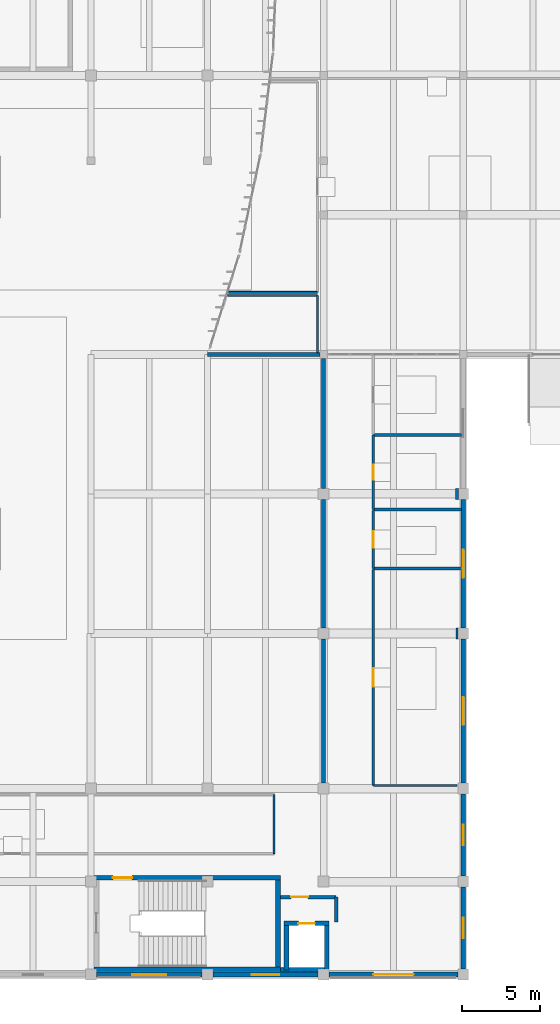
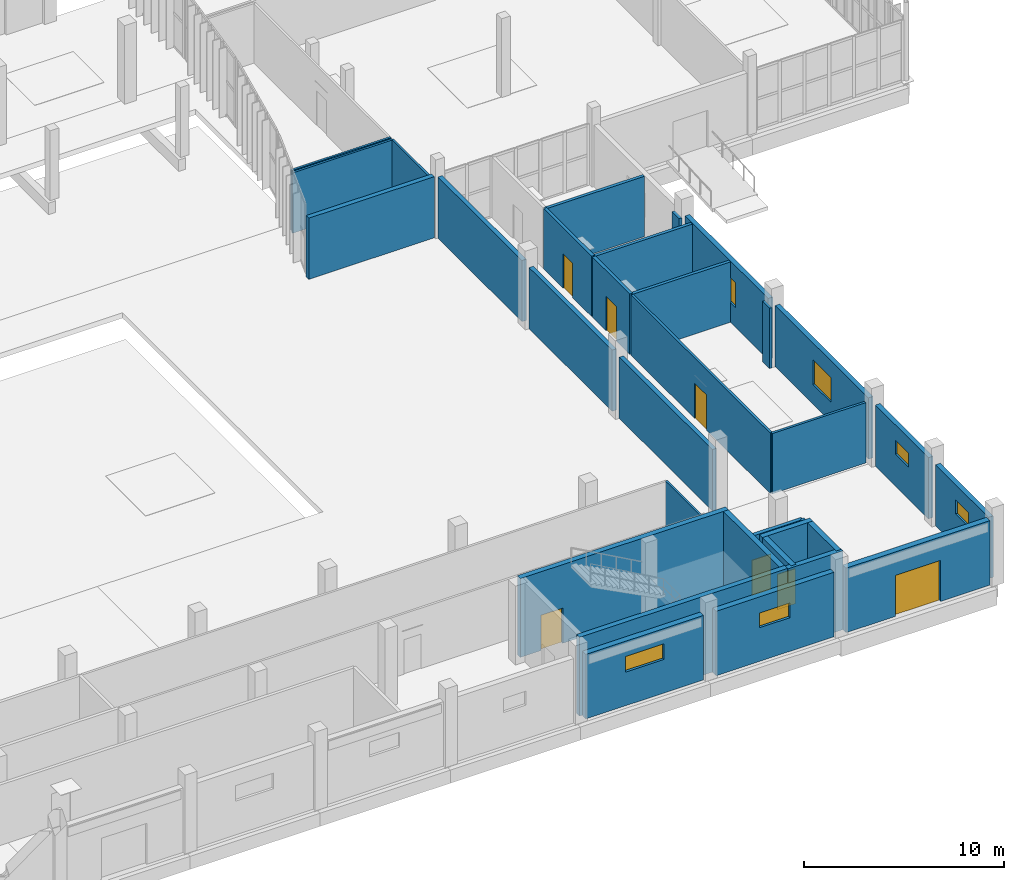
# One storey, part 50 of 72: 33 walls, 7 doors, 6 windows, 13 openings.
"""IFC4 building model written with IfcOpenShell, lengths in metres."""

from ifc_helpers import new_model, si_unit, direction, frame, frame_2d, origin, place, context, subcontext, project, spatial, rectangle, extrude, material, layer, layer_set, type_object, element, fill, save


model = new_model("IFC4")

# Units and contexts
model_context = context("Model", 3, precision=1e-05, world=origin(), true_north=direction((0.0, 1.0)))
body_context = subcontext(model_context, "Body", "Model", "MODEL_VIEW")
ifc_project = project(units=[si_unit("LENGTHUNIT", "METRE"), si_unit("AREAUNIT", "SQUARE_METRE"), si_unit("VOLUMEUNIT", "CUBIC_METRE"), si_unit("PLANEANGLEUNIT", "RADIAN"), si_unit("MASSUNIT", "GRAM", prefix="KILO")], contexts=[model_context])

# Site, building, storey
site_placement = place(None, origin())
site = spatial("IfcSite", under=ifc_project, at=site_placement, CompositionType="ELEMENT")
building_placement = place(site_placement, origin())
building = spatial("IfcBuilding", under=site, at=building_placement, Name="Vourika Railside Aquatics Centre", CompositionType="ELEMENT")
storey_placement = place(building_placement, origin())
storey = spatial("IfcBuildingStorey", under=building, at=storey_placement, Name="L00", CompositionType="ELEMENT", Elevation=0.0)

# Wall
ifc_material_1 = material(Name="Concrete C40/50", Category="concrete")
ifc_layer_1 = layer(ifc_material_1, 0.300048828125, Name="WL-CORE")
ifc_layer_set_1 = layer_set([ifc_layer_1], Name="Concrete C40/50")
wall_type_1 = type_object("IfcWallType", Name="WL-CORE", PredefinedType="SHEAR", material=ifc_layer_set_1)
wall_1_placement = place(storey_placement, frame((138.199951171875, 0.35009765625, 0.0), z_axis=(0.0, 0.0, 1.0), x_axis=(-1.0, 0.0, 0.0)))
element("IfcWall", 1, at=wall_1_placement, inside=storey, type_object=wall_type_1, Name="Protected Exit Stair Core ST06 South Wall (L00)", PredefinedType="SHEAR", context=body_context, shape_type="SweptSolid", body=[
    extrude(rectangle(XDim=12.0, YDim=0.300048828125, at=frame_2d((6.0, 0.0))), origin(), (0.0, 0.0, 1.0), 4.800048828125),
])

# Wall, opening, door
wall_2_placement = place(storey_placement, frame((138.199951171875, 6.25, 0.0), z_axis=(0.0, 0.0, 1.0), x_axis=(-1.0, 0.0, 0.0)))
wall_2 = element("IfcWall", 2, at=wall_2_placement, inside=storey, type_object=wall_type_1, Name="Protected Exit Stair Core ST06 North Wall (L00)", PredefinedType="SHEAR", context=body_context, shape_type="SweptSolid", body=[
    extrude(rectangle(XDim=12.0, YDim=0.300048828125, at=frame_2d((6.0, 0.0))), origin(), (0.0, 0.0, 1.0), 4.800048828125),
])
opening_1_placement = place(wall_2_placement, frame((9.550048828125, 0.0, 0.0)))
opening_1 = element("IfcOpeningElement", 3, at=opening_1_placement, cuts=wall_2, Name="Opening DF02", PredefinedType="OPENING", context=body_context, shape_type="SweptSolid", body=[
    extrude(rectangle(XDim=1.25, YDim=2.14990234375, at=frame_2d((0.625, 1.074951171875))), frame((0.0, 0.16015625, 0.0), z_axis=(0.0, -1.0, 0.0), x_axis=(1.0, 0.0, 0.0)), (0.0, 0.0, 1.0), 0.320068359375),
])
ifc_material_2 = material(Name="Fire-rated wide exit stair door")
door_type_1 = type_object("IfcDoorType", Name="DR-FD60-125", OperationType="NOTDEFINED", PredefinedType="DOOR", material=ifc_material_2)
door_1_placement = place(opening_1_placement, origin())
door_1 = element("IfcDoor", 4, at=door_1_placement, inside=storey, type_object=door_type_1, Name="Protected Exit Stair Core ST06 Enclosure Fire Door (L00)", OperationType="SINGLE_SWING_LEFT", OverallHeight=2.14990234375, OverallWidth=1.25, PredefinedType="DOOR", context=body_context, shape_type="SweptSolid", body=[
    extrude(rectangle(XDim=1.25, YDim=2.14990234375, at=frame_2d((0.625, 1.074951171875))), frame((0.0, 0.02490234375, 0.0), z_axis=(0.0, -1.0, 0.0), x_axis=(1.0, 0.0, 0.0)), (0.0, 0.0, 1.0), 0.050048828125),
])
fill(opening_1, door_1)

# Walls
wall_3_placement = place(storey_placement, frame((138.050048828125, 0.5, 0.0), z_axis=(0.0, 0.0, 1.0), x_axis=(0.0, 1.0, 0.0)))
element("IfcWall", 5, at=wall_3_placement, inside=storey, type_object=wall_type_1, Name="Protected Exit Stair Core ST06 East Wall (L00)", PredefinedType="SHEAR", context=body_context, shape_type="SweptSolid", body=[
    extrude(rectangle(XDim=5.60009765625, YDim=0.300048828125, at=frame_2d((2.800048828125, 0.0))), origin(), (0.0, 0.0, 1.0), 4.800048828125),
])
wall_4_placement = place(storey_placement, frame((138.199951171875, 0.300048828125, 0.0), z_axis=(0.0, 0.0, 1.0), x_axis=(1.0, 0.0, 0.0)))
element("IfcWall", 6, at=wall_4_placement, inside=storey, type_object=wall_type_1, Name="Lift LP03 Shaft South Wall (L00)", PredefinedType="SHEAR", context=body_context, shape_type="SweptSolid", body=[
    extrude(rectangle(XDim=3.150146484375, YDim=0.300048828125, at=frame_2d((1.5751953125, 0.0))), origin(), (0.0, 0.0, 1.0), 4.800048828125),
])

# Wall, opening, door
wall_5_placement = place(storey_placement, frame((141.35009765625, 3.300048828125, 0.0), z_axis=(0.0, 0.0, 1.0), x_axis=(-1.0, 0.0, 0.0)))
wall_5 = element("IfcWall", 7, at=wall_5_placement, inside=storey, type_object=wall_type_1, Name="Lift LP03 Shaft North Wall (L00)", PredefinedType="SHEAR", context=body_context, shape_type="SweptSolid", body=[
    extrude(rectangle(XDim=2.900146484375, YDim=0.300048828125, at=frame_2d((1.4501953125, 0.0))), origin(), (0.0, 0.0, 1.0), 4.800048828125),
])
opening_2_placement = place(wall_5_placement, frame((0.925048828125, 0.0, 0.0)))
opening_2 = element("IfcOpeningElement", 8, at=opening_2_placement, cuts=wall_5, Name="Opening LD02", PredefinedType="OPENING", context=body_context, shape_type="SweptSolid", body=[
    extrude(rectangle(XDim=1.050048828125, YDim=2.14990234375, at=frame_2d((0.52490234375, 1.074951171875))), frame((0.0, 0.16015625, 0.0), z_axis=(0.0, -1.0, 0.0), x_axis=(1.0, 0.0, 0.0)), (0.0, 0.0, 1.0), 0.320068359375),
])
ifc_material_3 = material(Name="Stainless passenger lift landing door")
door_type_2 = type_object("IfcDoorType", Name="DR-LIFT-LD2", OperationType="DOUBLE_DOOR_SLIDING", PredefinedType="DOOR", material=ifc_material_3)
door_2_placement = place(opening_2_placement, origin())
door_2 = element("IfcDoor", 9, at=door_2_placement, inside=storey, type_object=door_type_2, Name="Lift LP03 Sliding Landing Door (L00)", OperationType="DOUBLE_DOOR_SLIDING", OverallHeight=2.14990234375, OverallWidth=1.050048828125, PredefinedType="DOOR", context=body_context, shape_type="SweptSolid", body=[
    extrude(rectangle(XDim=1.050048828125, YDim=2.14990234375, at=frame_2d((0.52490234375, 1.074951171875))), frame((0.0, 0.02490234375, 0.0), z_axis=(0.0, -1.0, 0.0), x_axis=(1.0, 0.0, 0.0)), (0.0, 0.0, 1.0), 0.050048828125),
])
fill(opening_2, door_2)

# Walls
for number, where, z_axis, x_axis, name in (
    (10, (138.60009765625, 3.300048828125, 0.0), (0.0, 0.0, 1.0), (0.0, -1.0, 0.0), "Lift LP03 Shaft West Wall (L00)"),
    (11, (141.199951171875, 0.300048828125, 0.0), (0.0, 0.0, 1.0), (0.0, 1.0, 0.0), "Lift LP03 Shaft East Wall (L00)"),
):
    element("IfcWall", number, at=place(storey_placement, frame(where, z_axis=z_axis, x_axis=x_axis)), inside=storey, type_object=wall_type_1, Name=name, PredefinedType="SHEAR", context=body_context, shape_type="SweptSolid", body=[
        extrude(rectangle(XDim=3.0, YDim=0.300048828125, at=frame_2d((1.5, 0.0))), origin(), (0.0, 0.0, 1.0), 4.800048828125),
    ])
ifc_material_4 = material(Name="Precast concrete C40/50", Category="concrete")
ifc_layer_2 = layer(ifc_material_4, 0.25, Name="WL-EXT-250")
ifc_layer_set_2 = layer_set([ifc_layer_2], Name="Precast concrete C40/50")
wall_type_2 = type_object("IfcWallType", Name="WL-EXT-250", PredefinedType="SOLIDWALL", material=ifc_layer_set_2)
wall_6_placement = place(storey_placement, frame((141.0, 21.64990234375, 0.0), z_axis=(0.0, 0.0, 1.0), x_axis=(0.0, -1.0, 0.0)))
element("IfcWall", 12, at=wall_6_placement, inside=storey, type_object=wall_type_2, Name="Changing East Wing Poolside Wall L00-3", PredefinedType="SOLIDWALL", context=body_context, shape_type="SweptSolid", body=[
    extrude(rectangle(XDim=9.2998046875, YDim=0.25, at=frame_2d((4.64990234375, 0.0))), origin(), (0.0, 0.0, 1.0), 3.72998046875),
])
wall_7_placement = place(storey_placement, frame((141.0, 30.64990234375, 0.0), z_axis=(0.0, 0.0, 1.0), x_axis=(0.0, -1.0, 0.0)))
element("IfcWall", 13, at=wall_7_placement, inside=storey, type_object=wall_type_2, Name="Changing East Wing Poolside Wall L00-4", PredefinedType="SOLIDWALL", context=body_context, shape_type="SweptSolid", body=[
    extrude(rectangle(XDim=8.2998046875, YDim=0.25, at=frame_2d((4.14990234375, 0.0))), origin(), (0.0, 0.0, 1.0), 3.72998046875),
])
wall_8_placement = place(storey_placement, frame((141.0, 39.75, 0.0), z_axis=(0.0, 0.0, 1.0), x_axis=(0.0, -1.0, 0.0)))
element("IfcWall", 14, at=wall_8_placement, inside=storey, type_object=wall_type_2, Name="Changing East Wing Poolside Wall L00-5", PredefinedType="SOLIDWALL", context=body_context, shape_type="SweptSolid", body=[
    extrude(rectangle(XDim=8.39990234375, YDim=0.25, at=frame_2d((4.199951171875, 0.0))), origin(), (0.0, 0.0, 1.0), 3.72998046875),
])
ifc_layer_3 = layer(ifc_material_4, 0.27001953125, Name="WL-EXT-270")
ifc_layer_set_3 = layer_set([ifc_layer_3], Name="Precast concrete C40/50")
wall_type_3 = type_object("IfcWallType", Name="WL-EXT-270", PredefinedType="SOLIDWALL", material=ifc_layer_set_3)
wall_9_placement = place(storey_placement, frame((133.5, 40.0, 0.0), z_axis=(0.0, 0.0, 1.0), x_axis=(1.0, 0.0, 0.0)))
element("IfcWall", 15, at=wall_9_placement, inside=storey, type_object=wall_type_3, Name="Foyer South Return Wall L00", PredefinedType="SOLIDWALL", context=body_context, shape_type="SweptSolid", body=[
    extrude(rectangle(XDim=7.25, YDim=0.27001953125, at=frame_2d((3.625, 0.0))), origin(), (0.0, 0.0, 1.0), 3.72998046875),
])

# Wall, opening, window
wall_10_placement = place(storey_placement, frame((150.0, 0.35009765625, 0.0), z_axis=(0.0, 0.0, 1.0), x_axis=(0.0, 1.0, 0.0)))
wall_10 = element("IfcWall", 16, at=wall_10_placement, inside=storey, type_object=wall_type_3, Name="Changing East Precast Wall L00-1", PredefinedType="SOLIDWALL", context=body_context, shape_type="SweptSolid", body=[
    extrude(rectangle(XDim=5.2998046875, YDim=0.27001953125, at=frame_2d((2.64990234375, 0.0))), origin(), (0.0, 0.0, 1.0), 3.72998046875),
])
opening_3_placement = place(wall_10_placement, frame((2.0, 0.0, 1.949951171875)))
opening_3 = element("IfcOpeningElement", 17, at=opening_3_placement, cuts=wall_10, Name="Opening W19", PredefinedType="OPENING", context=body_context, shape_type="SweptSolid", body=[
    extrude(rectangle(XDim=1.300048828125, YDim=0.85009765625, at=frame_2d((0.64990234375, 0.425048828125))), frame((0.0, 0.14501953125, 0.0), z_axis=(0.0, -1.0, 0.0), x_axis=(1.0, 0.0, 0.0)), (0.0, 0.0, 1.0), 0.2900390625),
])
ifc_material_5 = material(Name="Laminated solar-control glass", Category="glass")
window_type_1 = type_object("IfcWindowType", Name="WN-CHG-130x085", PartitioningType="SINGLE_PANEL", PredefinedType="WINDOW", material=ifc_material_5)
window_1_placement = place(opening_3_placement, origin())
window_1 = element("IfcWindow", 18, at=window_1_placement, inside=storey, type_object=window_type_1, Name="Changing East Clerestory Window L00-1", OverallHeight=0.85009765625, OverallWidth=1.300048828125, PartitioningType="SINGLE_PANEL", PredefinedType="WINDOW", context=body_context, shape_type="SweptSolid", body=[
    extrude(rectangle(XDim=1.300048828125, YDim=0.85009765625, at=frame_2d((0.64990234375, 0.425048828125))), frame((0.0, 0.030029296875, 0.0), z_axis=(0.0, -1.0, 0.0), x_axis=(1.0, 0.0, 0.0)), (0.0, 0.0, 1.0), 0.06005859375),
])
fill(opening_3, window_1)

wall_11_placement = place(storey_placement, frame((150.0, 6.35009765625, 0.0), z_axis=(0.0, 0.0, 1.0), x_axis=(0.0, 1.0, 0.0)))
wall_11 = element("IfcWall", 19, at=wall_11_placement, inside=storey, type_object=wall_type_3, Name="Changing East Precast Wall L00-2", PredefinedType="SOLIDWALL", context=body_context, shape_type="SweptSolid", body=[
    extrude(rectangle(XDim=5.2998046875, YDim=0.27001953125, at=frame_2d((2.64990234375, 0.0))), origin(), (0.0, 0.0, 1.0), 3.72998046875),
])
opening_4_placement = place(wall_11_placement, frame((2.0, 0.0, 1.949951171875)))
opening_4 = element("IfcOpeningElement", 20, at=opening_4_placement, cuts=wall_11, Name="Opening W19", PredefinedType="OPENING", context=body_context, shape_type="SweptSolid", body=[
    extrude(rectangle(XDim=1.300048828125, YDim=0.85009765625, at=frame_2d((0.64990234375, 0.425048828125))), frame((0.0, 0.14501953125, 0.0), z_axis=(0.0, -1.0, 0.0), x_axis=(1.0, 0.0, 0.0)), (0.0, 0.0, 1.0), 0.2900390625),
])
window_2_placement = place(opening_4_placement, origin())
window_2 = element("IfcWindow", 21, at=window_2_placement, inside=storey, type_object=window_type_1, Name="Changing East Clerestory Window L00-2", OverallHeight=0.85009765625, OverallWidth=1.300048828125, PartitioningType="SINGLE_PANEL", PredefinedType="WINDOW", context=body_context, shape_type="SweptSolid", body=[
    extrude(rectangle(XDim=1.300048828125, YDim=0.85009765625, at=frame_2d((0.64990234375, 0.425048828125))), frame((0.0, 0.030029296875, 0.0), z_axis=(0.0, -1.0, 0.0), x_axis=(1.0, 0.0, 0.0)), (0.0, 0.0, 1.0), 0.06005859375),
])
fill(opening_4, window_2)

wall_12_placement = place(storey_placement, frame((150.0, 12.35009765625, 0.0), z_axis=(0.0, 0.0, 1.0), x_axis=(0.0, 1.0, 0.0)))
wall_12 = element("IfcWall", 22, at=wall_12_placement, inside=storey, type_object=wall_type_3, Name="Changing East Precast Wall L00-3", PredefinedType="SOLIDWALL", context=body_context, shape_type="SweptSolid", body=[
    extrude(rectangle(XDim=9.2998046875, YDim=0.27001953125, at=frame_2d((4.64990234375, 0.0))), origin(), (0.0, 0.0, 1.0), 3.72998046875),
])
opening_5_placement = place(wall_12_placement, frame((3.75, 0.0, 1.199951171875)))
opening_5 = element("IfcOpeningElement", 23, at=opening_5_placement, cuts=wall_12, Name="Opening W08", PredefinedType="OPENING", context=body_context, shape_type="SweptSolid", body=[
    extrude(rectangle(XDim=1.800048828125, YDim=1.5, at=frame_2d((0.89990234375, 0.75))), frame((0.0, 0.14501953125, 0.0), z_axis=(0.0, -1.0, 0.0), x_axis=(1.0, 0.0, 0.0)), (0.0, 0.0, 1.0), 0.2900390625),
])
window_type_2 = type_object("IfcWindowType", Name="WN-CLN-180x150", PartitioningType="SINGLE_PANEL", PredefinedType="WINDOW", material=ifc_material_5)
window_3_placement = place(opening_5_placement, origin())
window_3 = element("IfcWindow", 24, at=window_3_placement, inside=storey, type_object=window_type_2, Name="Changing East Clerestory Window L00-3", OverallHeight=1.5, OverallWidth=1.800048828125, PartitioningType="SINGLE_PANEL", PredefinedType="WINDOW", context=body_context, shape_type="SweptSolid", body=[
    extrude(rectangle(XDim=1.800048828125, YDim=1.5, at=frame_2d((0.89990234375, 0.75))), frame((0.0, 0.030029296875, 0.0), z_axis=(0.0, -1.0, 0.0), x_axis=(1.0, 0.0, 0.0)), (0.0, 0.0, 1.0), 0.06005859375),
])
fill(opening_5, window_3)

wall_13_placement = place(storey_placement, frame((150.0, 22.35009765625, 0.0), z_axis=(0.0, 0.0, 1.0), x_axis=(0.0, 1.0, 0.0)))
wall_13 = element("IfcWall", 25, at=wall_13_placement, inside=storey, type_object=wall_type_3, Name="Changing East Precast Wall L00-4", PredefinedType="SOLIDWALL", context=body_context, shape_type="SweptSolid", body=[
    extrude(rectangle(XDim=8.2998046875, YDim=0.27001953125, at=frame_2d((4.14990234375, 0.0))), origin(), (0.0, 0.0, 1.0), 3.72998046875),
])
opening_6_placement = place(wall_13_placement, frame((3.25, 0.0, 1.199951171875)))
opening_6 = element("IfcOpeningElement", 26, at=opening_6_placement, cuts=wall_13, Name="Opening W08", PredefinedType="OPENING", context=body_context, shape_type="SweptSolid", body=[
    extrude(rectangle(XDim=1.800048828125, YDim=1.5, at=frame_2d((0.89990234375, 0.75))), frame((0.0, 0.14501953125, 0.0), z_axis=(0.0, -1.0, 0.0), x_axis=(1.0, 0.0, 0.0)), (0.0, 0.0, 1.0), 0.2900390625),
])
window_4_placement = place(opening_6_placement, origin())
window_4 = element("IfcWindow", 27, at=window_4_placement, inside=storey, type_object=window_type_2, Name="Changing East Clerestory Window L00-4", OverallHeight=1.5, OverallWidth=1.800048828125, PartitioningType="SINGLE_PANEL", PredefinedType="WINDOW", context=body_context, shape_type="SweptSolid", body=[
    extrude(rectangle(XDim=1.800048828125, YDim=1.5, at=frame_2d((0.89990234375, 0.75))), frame((0.0, 0.030029296875, 0.0), z_axis=(0.0, -1.0, 0.0), x_axis=(1.0, 0.0, 0.0)), (0.0, 0.0, 1.0), 0.06005859375),
])
fill(opening_6, window_4)

ifc_layer_4 = layer(ifc_material_4, 0.340087890625, Name="WL-EXT-340")
ifc_layer_set_4 = layer_set([ifc_layer_4], Name="Precast concrete C40/50")
wall_type_4 = type_object("IfcWallType", Name="WL-EXT-340", PredefinedType="SOLIDWALL", material=ifc_layer_set_4)
wall_14_placement = place(storey_placement, frame((126.35009765625, 0.0, 0.0), z_axis=(0.0, 0.0, 1.0), x_axis=(1.0, 0.0, 0.0)))
wall_14 = element("IfcWall", 28, at=wall_14_placement, inside=storey, type_object=wall_type_4, Name="Changing Village South Precast Wall L00-13", PredefinedType="SOLIDWALL", context=body_context, shape_type="SweptSolid", body=[
    extrude(rectangle(XDim=6.7998046875, YDim=0.340087890625, at=frame_2d((3.39990234375, 0.0))), origin(), (0.0, 0.0, 1.0), 3.929931640625),
])
opening_7_placement = place(wall_14_placement, frame((2.300048828125, 0.0, 2.050048828125)))
opening_7 = element("IfcOpeningElement", 29, at=opening_7_placement, cuts=wall_14, Name="Opening W17", PredefinedType="OPENING", context=body_context, shape_type="SweptSolid", body=[
    extrude(rectangle(XDim=2.199951171875, YDim=0.949951171875, at=frame_2d((1.10009765625, 0.47509765625))), frame((0.0, 0.18017578125, 0.0), z_axis=(0.0, -1.0, 0.0), x_axis=(1.0, 0.0, 0.0)), (0.0, 0.0, 1.0), 0.360107421875),
])
window_type_3 = type_object("IfcWindowType", Name="WN-CHG-220x095", PartitioningType="DOUBLE_PANEL_HORIZONTAL", PredefinedType="WINDOW", material=ifc_material_5)
window_5_placement = place(opening_7_placement, origin())
window_5 = element("IfcWindow", 30, at=window_5_placement, inside=storey, type_object=window_type_3, Name="Changing High-Level Privacy Window L00-13", OverallHeight=0.949951171875, OverallWidth=2.199951171875, PartitioningType="SINGLE_PANEL", PredefinedType="WINDOW", context=body_context, shape_type="SweptSolid", body=[
    extrude(rectangle(XDim=2.199951171875, YDim=0.949951171875, at=frame_2d((1.10009765625, 0.47509765625))), frame((0.0, 0.030029296875, 0.0), z_axis=(0.0, -1.0, 0.0), x_axis=(1.0, 0.0, 0.0)), (0.0, 0.0, 1.0), 0.06005859375),
])
fill(opening_7, window_5)

wall_15_placement = place(storey_placement, frame((133.85009765625, 0.0, 0.0), z_axis=(0.0, 0.0, 1.0), x_axis=(1.0, 0.0, 0.0)))
wall_15 = element("IfcWall", 31, at=wall_15_placement, inside=storey, type_object=wall_type_4, Name="Changing Village South Precast Wall L00-14", PredefinedType="SOLIDWALL", context=body_context, shape_type="SweptSolid", body=[
    extrude(rectangle(XDim=6.7998046875, YDim=0.340087890625, at=frame_2d((3.39990234375, 0.0))), origin(), (0.0, 0.0, 1.0), 3.929931640625),
])
opening_8_placement = place(wall_15_placement, frame((2.52490234375, 0.0, 2.050048828125)))
opening_8 = element("IfcOpeningElement", 32, at=opening_8_placement, cuts=wall_15, Name="Opening W18", PredefinedType="OPENING", context=body_context, shape_type="SweptSolid", body=[
    extrude(rectangle(XDim=1.75, YDim=0.89990234375, at=frame_2d((0.875, 0.449951171875))), frame((0.0, 0.18017578125, 0.0), z_axis=(0.0, -1.0, 0.0), x_axis=(1.0, 0.0, 0.0)), (0.0, 0.0, 1.0), 0.360107421875),
])
window_type_4 = type_object("IfcWindowType", Name="WN-CHG-175x090", PartitioningType="DOUBLE_PANEL_HORIZONTAL", PredefinedType="WINDOW", material=ifc_material_5)
window_6_placement = place(opening_8_placement, origin())
window_6 = element("IfcWindow", 33, at=window_6_placement, inside=storey, type_object=window_type_4, Name="Changing High-Level Privacy Window L00-14", OverallHeight=0.89990234375, OverallWidth=1.75, PartitioningType="SINGLE_PANEL", PredefinedType="WINDOW", context=body_context, shape_type="SweptSolid", body=[
    extrude(rectangle(XDim=1.75, YDim=0.89990234375, at=frame_2d((0.875, 0.449951171875))), frame((0.0, 0.030029296875, 0.0), z_axis=(0.0, -1.0, 0.0), x_axis=(1.0, 0.0, 0.0)), (0.0, 0.0, 1.0), 0.06005859375),
])
fill(opening_8, window_6)

# Wall, opening, door
wall_16_placement = place(storey_placement, frame((141.35009765625, 0.0, 0.0), z_axis=(0.0, 0.0, 1.0), x_axis=(1.0, 0.0, 0.0)))
wall_16 = element("IfcWall", 34, at=wall_16_placement, inside=storey, type_object=wall_type_4, Name="Changing Village South Precast Wall L00-15", PredefinedType="SOLIDWALL", context=body_context, shape_type="SweptSolid", body=[
    extrude(rectangle(XDim=8.2998046875, YDim=0.340087890625, at=frame_2d((4.14990234375, 0.0))), origin(), (0.0, 0.0, 1.0), 3.929931640625),
])
opening_9_placement = place(wall_16_placement, frame((2.85009765625, 0.0, 0.0)))
opening_9 = element("IfcOpeningElement", 35, at=opening_9_placement, cuts=wall_16, Name="Opening DE01", PredefinedType="OPENING", context=body_context, shape_type="SweptSolid", body=[
    extrude(rectangle(XDim=2.60009765625, YDim=2.5, at=frame_2d((1.300048828125, 1.25))), frame((0.0, 0.18017578125, 0.0), z_axis=(0.0, -1.0, 0.0), x_axis=(1.0, 0.0, 0.0)), (0.0, 0.0, 1.0), 0.360107421875),
])
ifc_material_6 = material(Name="Anodized aluminium", Category="aluminium")
door_type_3 = type_object("IfcDoorType", Name="DR-EXT-DBL260", OperationType="DOUBLE_DOOR_SINGLE_SWING", PredefinedType="DOOR", material=ifc_material_6)
door_3_placement = place(opening_9_placement, frame((2.60009765625, 0.0, 0.0), z_axis=(0.0, 0.0, 1.0), x_axis=(-1.0, 0.0, 0.0)))
door_3 = element("IfcDoor", 36, at=door_3_placement, inside=storey, type_object=door_type_3, Name="South Boulevard Athlete Exit Door 15", OperationType="DOUBLE_DOOR_SINGLE_SWING", OverallHeight=2.5, OverallWidth=2.60009765625, PredefinedType="DOOR", context=body_context, shape_type="SweptSolid", body=[
    extrude(rectangle(XDim=2.60009765625, YDim=2.5, at=frame_2d((1.300048828125, 1.25))), frame((0.0, 0.02490234375, 0.0), z_axis=(0.0, -1.0, 0.0), x_axis=(1.0, 0.0, 0.0)), (0.0, 0.0, 1.0), 0.050048828125),
])
fill(opening_9, door_3)

ifc_material_7 = material(Name="Concrete C35/45", Category="concrete")
ifc_layer_5 = layer(ifc_material_7, 0.219970703125, Name="WL-FIRE")
ifc_layer_set_5 = layer_set([ifc_layer_5], Name="Concrete C35/45")
wall_type_5 = type_object("IfcWallType", Name="WL-FIRE", PredefinedType="SOLIDWALL", material=ifc_layer_set_5)
wall_17_placement = place(storey_placement, frame((138.199951171875, 5.0, 0.0), z_axis=(0.0, 0.0, 1.0), x_axis=(1.0, 0.0, 0.0)))
wall_17 = element("IfcWall", 37, at=wall_17_placement, inside=storey, type_object=wall_type_5, Name="Lift LP03 Lobby Corridor Fire Wall (L00)", PredefinedType="SOLIDWALL", context=body_context, shape_type="SweptSolid", body=[
    extrude(rectangle(XDim=3.60009765625, YDim=0.219970703125, at=frame_2d((1.800048828125, 0.0))), origin(), (0.0, 0.0, 1.0), 3.679931640625),
])
opening_10_placement = place(wall_17_placement, frame((0.699951171875, 0.0, 0.0)))
opening_10 = element("IfcOpeningElement", 38, at=opening_10_placement, cuts=wall_17, Name="Opening DF01", PredefinedType="OPENING", context=body_context, shape_type="SweptSolid", body=[
    extrude(rectangle(XDim=1.10009765625, YDim=2.14990234375, at=frame_2d((0.550048828125, 1.074951171875))), frame((0.0, 0.1201171875, 0.0), z_axis=(0.0, -1.0, 0.0), x_axis=(1.0, 0.0, 0.0)), (0.0, 0.0, 1.0), 0.239990234375),
])
ifc_material_8 = material(Name="Fire-rated steel and timber core door", Category="steel")
door_type_4 = type_object("IfcDoorType", Name="DR-FD60", OperationType="NOTDEFINED", PredefinedType="DOOR", material=ifc_material_8)
door_4_placement = place(opening_10_placement, origin())
door_4 = element("IfcDoor", 39, at=door_4_placement, inside=storey, type_object=door_type_4, Name="Lift LP03 Lobby Fire Door (L00)", OperationType="SINGLE_SWING_LEFT", OverallHeight=2.14990234375, OverallWidth=1.10009765625, PredefinedType="DOOR", context=body_context, shape_type="SweptSolid", body=[
    extrude(rectangle(XDim=1.10009765625, YDim=2.14990234375, at=frame_2d((0.550048828125, 1.074951171875))), frame((0.0, 0.02490234375, 0.0), z_axis=(0.0, -1.0, 0.0), x_axis=(1.0, 0.0, 0.0)), (0.0, 0.0, 1.0), 0.050048828125),
])
fill(opening_10, door_4)

# Walls
wall_18_placement = place(storey_placement, frame((141.800048828125, 3.39990234375, 0.0), z_axis=(0.0, 0.0, 1.0), x_axis=(0.0, 1.0, 0.0)))
element("IfcWall", 40, at=wall_18_placement, inside=storey, type_object=wall_type_5, Name="Lift LP03 Lobby East Fire Wall (L00)", PredefinedType="SOLIDWALL", context=body_context, shape_type="SweptSolid", body=[
    extrude(rectangle(XDim=1.60009765625, YDim=0.219970703125, at=frame_2d((0.800048828125, 0.0))), origin(), (0.0, 0.0, 1.0), 3.679931640625),
])
ifc_material_9 = material(Name="Lightweight drylining partition")
ifc_layer_6 = layer(ifc_material_9, 0.1201171875, Name="WL-PART-120")
ifc_layer_set_6 = layer_set([ifc_layer_6], Name="Lightweight drylining partition")
wall_type_6 = type_object("IfcWallType", Name="WL-PART-120", PredefinedType="PARTITIONING", material=ifc_layer_set_6)
wall_19_placement = place(storey_placement, frame((137.800048828125, 11.60009765625, 0.0), z_axis=(0.0, 0.0, 1.0), x_axis=(0.0, -1.0, 0.0)))
element("IfcWall", 41, at=wall_19_placement, inside=storey, type_object=wall_type_6, Name="Athlete Call Room and Marshalling Suite Partition 4", PredefinedType="PARTITIONING", context=body_context, shape_type="SweptSolid", body=[
    extrude(rectangle(XDim=3.800048828125, YDim=0.1201171875, at=frame_2d((1.89990234375, 0.0))), origin(), (0.0, 0.0, 1.0), 3.375),
])
wall_20_placement = place(storey_placement, frame((140.60009765625, 43.800048828125, 0.0), z_axis=(0.0, 0.0, 1.0), x_axis=(-1.0, 0.0, 0.0)))
element("IfcWall", 42, at=wall_20_placement, inside=storey, type_object=wall_type_6, Name="Waterside Monsoon Courtyard Cafe Partition 2", PredefinedType="PARTITIONING", context=body_context, shape_type="SweptSolid", body=[
    extrude(rectangle(XDim=5.798583984375, YDim=0.1201171875, at=frame_2d((2.8994140625, 0.0))), origin(), (0.0, 0.0, 1.0), 3.679931640625),
])
wall_21_placement = place(storey_placement, frame((134.864501953125, 44.0, 0.0), z_axis=(0.0, 0.0, 1.0), x_axis=(1.0, 0.0, 0.0)))
element("IfcWall", 43, at=wall_21_placement, inside=storey, type_object=wall_type_6, Name="Waterside Monsoon Courtyard Cafe Partition 3", PredefinedType="PARTITIONING", context=body_context, shape_type="SweptSolid", body=[
    extrude(rectangle(XDim=5.735595703125, YDim=0.1201171875, at=frame_2d((2.86767578125, 0.0))), origin(), (0.0, 0.0, 1.0), 3.679931640625),
])
wall_22_placement = place(storey_placement, frame((140.60009765625, 40.114990234375, 0.0), z_axis=(0.0, 0.0, 1.0), x_axis=(0.0, 1.0, 0.0)))
element("IfcWall", 44, at=wall_22_placement, inside=storey, type_object=wall_type_6, Name="Waterside Monsoon Courtyard Cafe Partition 4", PredefinedType="PARTITIONING", context=body_context, shape_type="SweptSolid", body=[
    extrude(rectangle(XDim=3.68505859375, YDim=0.1201171875, at=frame_2d((1.842529296875, 0.0))), origin(), (0.0, 0.0, 1.0), 3.679931640625),
])

# Wall, opening, door
ifc_material_10 = material(Name="Clinical hygienic partition")
ifc_layer_7 = layer(ifc_material_10, 0.139892578125, Name="WL-PART-140")
ifc_layer_set_7 = layer_set([ifc_layer_7], Name="Clinical hygienic partition")
wall_type_7 = type_object("IfcWallType", Name="WL-PART-140", PredefinedType="PARTITIONING", material=ifc_layer_set_7)
wall_23_placement = place(storey_placement, frame((144.199951171875, 12.199951171875, 0.0), z_axis=(0.0, 0.0, 1.0), x_axis=(0.0, 1.0, 0.0)))
wall_23 = element("IfcWall", 45, at=wall_23_placement, inside=storey, type_object=wall_type_7, Name="Anti-Doping Testing and Chaperone Suite Partition 1", PredefinedType="PARTITIONING", context=body_context, shape_type="SweptSolid", body=[
    extrude(rectangle(XDim=13.929931640625, YDim=0.139892578125, at=frame_2d((6.96484375, 0.0))), origin(), (0.0, 0.0, 1.0), 3.679931640625),
])
opening_11_placement = place(wall_23_placement, frame((6.364990234375, 0.0, 0.0)))
opening_11 = element("IfcOpeningElement", 46, at=opening_11_placement, cuts=wall_23, Name="Opening DI03", PredefinedType="OPENING", context=body_context, shape_type="SweptSolid", body=[
    extrude(rectangle(XDim=1.199951171875, YDim=2.14990234375, at=frame_2d((0.60009765625, 1.074951171875))), frame((0.0, 0.080078125, 0.0), z_axis=(0.0, -1.0, 0.0), x_axis=(1.0, 0.0, 0.0)), (0.0, 0.0, 1.0), 0.159912109375),
])
ifc_material_11 = material(Name="Wide sports-medicine clinical door")
door_type_5 = type_object("IfcDoorType", Name="DR-INT-1200", OperationType="NOTDEFINED", PredefinedType="DOOR", material=ifc_material_11)
door_5_placement = place(opening_11_placement, origin())
door_5 = element("IfcDoor", 47, at=door_5_placement, inside=storey, type_object=door_type_5, Name="Anti-Doping Testing and Chaperone Suite Door", OperationType="SINGLE_SWING_RIGHT", OverallHeight=2.14990234375, OverallWidth=1.199951171875, PredefinedType="DOOR", context=body_context, shape_type="SweptSolid", body=[
    extrude(rectangle(XDim=1.199951171875, YDim=2.14990234375, at=frame_2d((0.60009765625, 1.074951171875))), frame((0.0, 0.02490234375, 0.0), z_axis=(0.0, -1.0, 0.0), x_axis=(1.0, 0.0, 0.0)), (0.0, 0.0, 1.0), 0.050048828125),
])
fill(opening_11, door_5)

# Walls
wall_24_placement = place(storey_placement, frame((149.60009765625, 12.199951171875, 0.0), z_axis=(0.0, 0.0, 1.0), x_axis=(-1.0, 0.0, 0.0)))
element("IfcWall", 48, at=wall_24_placement, inside=storey, type_object=wall_type_7, Name="Anti-Doping Testing and Chaperone Suite Partition 2", PredefinedType="PARTITIONING", context=body_context, shape_type="SweptSolid", body=[
    extrude(rectangle(XDim=5.400146484375, YDim=0.139892578125, at=frame_2d((2.7001953125, 0.0))), origin(), (0.0, 0.0, 1.0), 3.679931640625),
])
wall_25_placement = place(storey_placement, frame((149.60009765625, 22.35009765625, 0.0), z_axis=(0.0, 0.0, 1.0), x_axis=(0.0, -1.0, 0.0)))
element("IfcWall", 49, at=wall_25_placement, inside=storey, type_object=wall_type_7, Name="Anti-Doping Testing and Chaperone Suite Partition 4", PredefinedType="PARTITIONING", context=body_context, shape_type="SweptSolid", body=[
    extrude(rectangle(XDim=0.7001953125, YDim=0.139892578125, at=frame_2d((0.35009765625, 0.0))), origin(), (0.0, 0.0, 1.0), 3.679931640625),
])

# Wall, opening, door
ifc_material_12 = material(Name="Moisture-resistant wet-village blockwork", Category="masonry")
ifc_layer_8 = layer(ifc_material_12, 0.179931640625, Name="WL-PART-180")
ifc_layer_set_8 = layer_set([ifc_layer_8], Name="Moisture-resistant wet-village blockwork")
wall_type_8 = type_object("IfcWallType", Name="WL-PART-180", PredefinedType="PARTITIONING", material=ifc_layer_set_8)
wall_26_placement = place(storey_placement, frame((144.199951171875, 30.0, 0.0), z_axis=(0.0, 0.0, 1.0), x_axis=(0.0, 1.0, 0.0)))
wall_26 = element("IfcWall", 50, at=wall_26_placement, inside=storey, type_object=wall_type_8, Name="Concourse Public Male WC Partition 1", PredefinedType="PARTITIONING", context=body_context, shape_type="SweptSolid", body=[
    extrude(rectangle(XDim=4.800048828125, YDim=0.179931640625, at=frame_2d((2.39990234375, 0.0))), origin(), (0.0, 0.0, 1.0), 3.679931640625),
])
opening_12_placement = place(wall_26_placement, frame((1.925048828125, 0.0, 0.0)))
opening_12 = element("IfcOpeningElement", 51, at=opening_12_placement, cuts=wall_26, Name="Opening DW01", PredefinedType="OPENING", context=body_context, shape_type="SweptSolid", body=[
    extrude(rectangle(XDim=0.949951171875, YDim=2.10009765625, at=frame_2d((0.47509765625, 1.050048828125))), frame((0.0, 0.10009765625, 0.0), z_axis=(0.0, -1.0, 0.0), x_axis=(1.0, 0.0, 0.0)), (0.0, 0.0, 1.0), 0.199951171875),
])
ifc_material_13 = material(Name="Moisture-resistant HPL washroom door")
door_type_6 = type_object("IfcDoorType", Name="DR-WC-950", OperationType="NOTDEFINED", PredefinedType="DOOR", material=ifc_material_13)
door_6_placement = place(opening_12_placement, origin())
door_6 = element("IfcDoor", 52, at=door_6_placement, inside=storey, type_object=door_type_6, Name="Concourse Public Male WC Door", OperationType="SINGLE_SWING_LEFT", OverallHeight=2.10009765625, OverallWidth=0.949951171875, PredefinedType="DOOR", context=body_context, shape_type="SweptSolid", body=[
    extrude(rectangle(XDim=0.949951171875, YDim=2.10009765625, at=frame_2d((0.47509765625, 1.050048828125))), frame((0.0, 0.02490234375, 0.0), z_axis=(0.0, -1.0, 0.0), x_axis=(1.0, 0.0, 0.0)), (0.0, 0.0, 1.0), 0.050048828125),
])
fill(opening_12, door_6)

# Walls
for number, where, z_axis, x_axis, name in (
    (53, (144.199951171875, 34.800048828125, 0.0), (0.0, 0.0, 1.0), (1.0, 0.0, 0.0), "Concourse Public Male WC Partition 2"),
    (54, (149.885009765625, 30.0, 0.0), (0.0, 0.0, 1.0), (-1.0, 0.0, 0.0), "Concourse Public Male WC Partition 3"),
):
    element("IfcWall", number, at=place(storey_placement, frame(where, z_axis=z_axis, x_axis=x_axis)), inside=storey, type_object=wall_type_8, Name=name, PredefinedType="PARTITIONING", context=body_context, shape_type="SweptSolid", body=[
        extrude(rectangle(XDim=5.68505859375, YDim=0.179931640625, at=frame_2d((2.842529296875, 0.0))), origin(), (0.0, 0.0, 1.0), 3.679931640625),
    ])
wall_27_placement = place(storey_placement, frame((149.60009765625, 31.35009765625, 0.0), z_axis=(0.0, 0.0, 1.0), x_axis=(0.0, -1.0, 0.0)))
element("IfcWall", 55, at=wall_27_placement, inside=storey, type_object=wall_type_8, Name="Concourse Public Male WC Partition 4", PredefinedType="PARTITIONING", context=body_context, shape_type="SweptSolid", body=[
    extrude(rectangle(XDim=0.7001953125, YDim=0.179931640625, at=frame_2d((0.35009765625, 0.0))), origin(), (0.0, 0.0, 1.0), 3.679931640625),
])

# Wall, opening, door
wall_28_placement = place(storey_placement, frame((144.199951171875, 26.199951171875, 0.0), z_axis=(0.0, 0.0, 1.0), x_axis=(0.0, 1.0, 0.0)))
wall_28 = element("IfcWall", 56, at=wall_28_placement, inside=storey, type_object=wall_type_8, Name="Concourse Accessible WC Partition 1", PredefinedType="PARTITIONING", context=body_context, shape_type="SweptSolid", body=[
    extrude(rectangle(XDim=3.72998046875, YDim=0.179931640625, at=frame_2d((1.864990234375, 0.0))), origin(), (0.0, 0.0, 1.0), 3.679931640625),
])
opening_13_placement = place(wall_28_placement, frame((1.340087890625, 0.0, 0.0)))
opening_13 = element("IfcOpeningElement", 57, at=opening_13_placement, cuts=wall_28, Name="Opening DW02", PredefinedType="OPENING", context=body_context, shape_type="SweptSolid", body=[
    extrude(rectangle(XDim=1.050048828125, YDim=2.10009765625, at=frame_2d((0.52490234375, 1.050048828125))), frame((0.0, 0.10009765625, 0.0), z_axis=(0.0, -1.0, 0.0), x_axis=(1.0, 0.0, 0.0)), (0.0, 0.0, 1.0), 0.199951171875),
])
ifc_material_14 = material(Name="Accessible WC outward-assist door")
door_type_7 = type_object("IfcDoorType", Name="DR-WCA-1050", OperationType="NOTDEFINED", PredefinedType="DOOR", material=ifc_material_14)
door_7_placement = place(opening_13_placement, origin())
door_7 = element("IfcDoor", 58, at=door_7_placement, inside=storey, type_object=door_type_7, Name="Concourse Accessible WC Door", OperationType="SINGLE_SWING_LEFT", OverallHeight=2.10009765625, OverallWidth=1.050048828125, PredefinedType="DOOR", context=body_context, shape_type="SweptSolid", body=[
    extrude(rectangle(XDim=1.050048828125, YDim=2.10009765625, at=frame_2d((0.52490234375, 1.050048828125))), frame((0.0, 0.02490234375, 0.0), z_axis=(0.0, -1.0, 0.0), x_axis=(1.0, 0.0, 0.0)), (0.0, 0.0, 1.0), 0.050048828125),
])
fill(opening_13, door_7)

# Wall
wall_29_placement = place(storey_placement, frame((149.885009765625, 26.199951171875, 0.0), z_axis=(0.0, 0.0, 1.0), x_axis=(-1.0, 0.0, 0.0)))
element("IfcWall", 59, at=wall_29_placement, inside=storey, type_object=wall_type_8, Name="Concourse Accessible WC Partition 3", PredefinedType="PARTITIONING", context=body_context, shape_type="SweptSolid", body=[
    extrude(rectangle(XDim=5.68505859375, YDim=0.179931640625, at=frame_2d((2.842529296875, 0.0))), origin(), (0.0, 0.0, 1.0), 3.679931640625),
])

save(model, "model.ifc")
